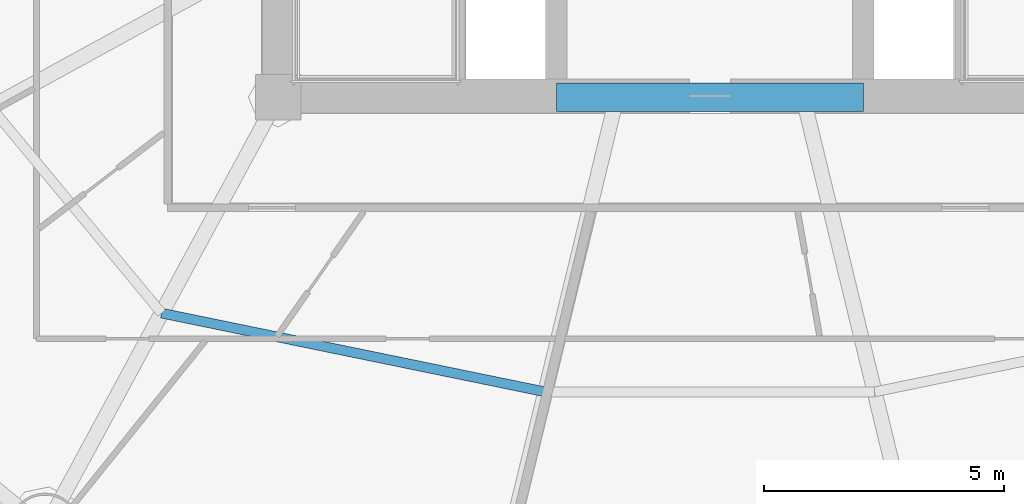
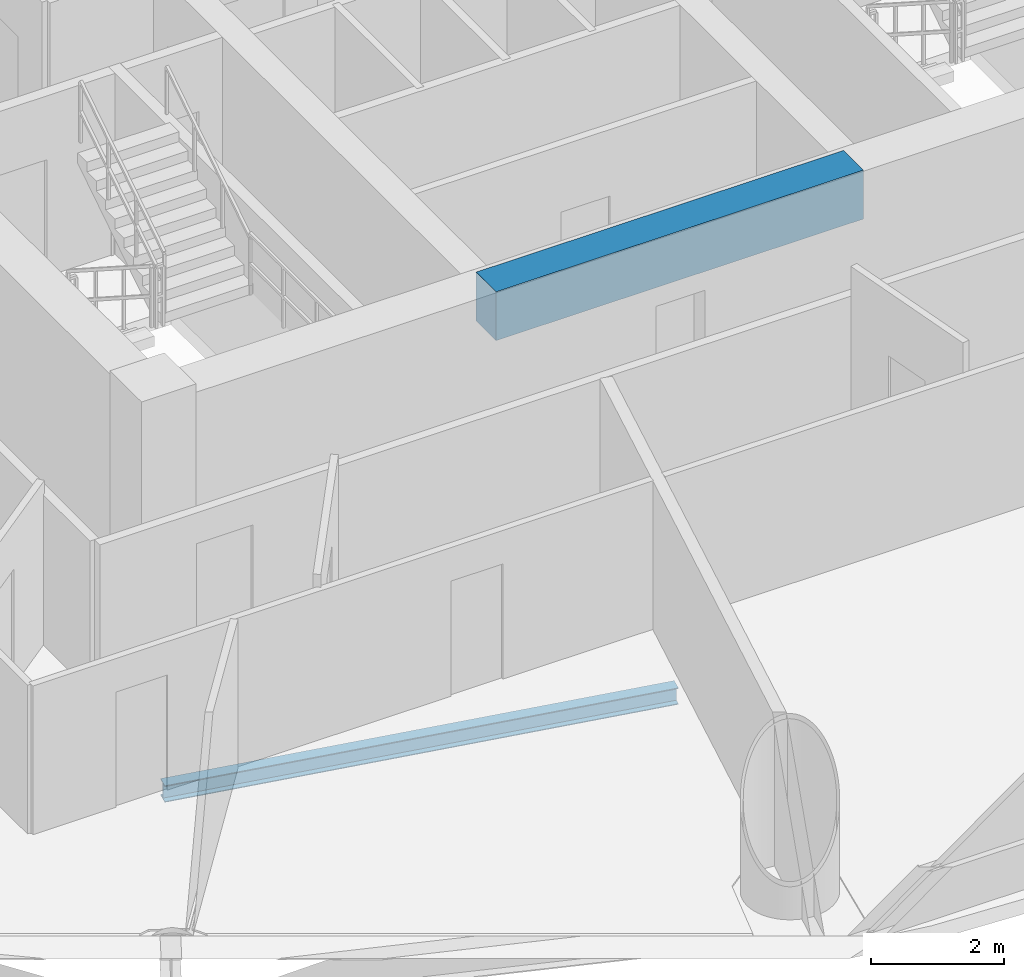
# One storey, part 6 of 29: 2 beams.
"""IFC4 building model written with IfcOpenShell, lengths in metres."""

from ifc_helpers import new_model, si_unit, direction, frame, origin, origin_2d, place, context, subcontext, project, spatial, rectangle, i_section, extrude, material, material_profile, profile_set, type_object, element, save


model = new_model("IFC4")

# Units and contexts
model_context = context("Model", 3, precision=1e-05, world=origin(), true_north=direction((-0.2419218956, 0.970295726276)))
body_context = subcontext(model_context, "Body", "Model", "MODEL_VIEW")
ifc_project = project(units=[si_unit("LENGTHUNIT", "METRE"), si_unit("AREAUNIT", "SQUARE_METRE"), si_unit("VOLUMEUNIT", "CUBIC_METRE"), si_unit("PLANEANGLEUNIT", "RADIAN"), si_unit("MASSUNIT", "GRAM", prefix="KILO")], contexts=[model_context])

# Site, building, storey
site_placement = place(None, origin())
site = spatial("IfcSite", under=ifc_project, at=site_placement, CompositionType="ELEMENT")
building_placement = place(site_placement, origin())
building = spatial("IfcBuilding", under=site, at=building_placement, Name="Cobrevalo Terracotta Tower", CompositionType="ELEMENT")
storey_placement = place(building_placement, frame((0.0, 0.0, 97.800048828125)))
storey = spatial("IfcBuildingStorey", under=building, at=storey_placement, Name="L25", CompositionType="ELEMENT", Elevation=97.800048828125)

# Beams
ifc_material_1 = material(Name="Concrete C60", Category="concrete")
ifc_material_profile_1 = material_profile(ifc_material_1, rectangle(XDim=0.60009765625, YDim=0.89990234375, at=origin_2d()), Name="RC CB 600x900")
ifc_profile_set_1 = profile_set([ifc_material_profile_1], Name="Concrete C60")
beam_type_1 = type_object("IfcBeamType", Name="Structural Beam RC CB 600x900 (Concrete C60)", PredefinedType="BEAM", material=ifc_profile_set_1)
beam_1_placement = place(storey_placement, frame((34.800048828125, 18.800048828125, 2.875), z_axis=(1.0, 0.0, 0.0), x_axis=(0.0, 1.0, 0.0)))
element("IfcBeam", 1, at=beam_1_placement, inside=storey, type_object=beam_type_1, Name="L25 core coupling beam 1", PredefinedType="BEAM", context=body_context, shape_type="SweptSolid", body=[
    extrude(rectangle(XDim=0.60009765625, YDim=0.89990234375, at=origin_2d()), origin(), (0.0, 0.0, 1.0), 6.39990234375),
])
ifc_material_2 = material(Name="Steel S355", Category="steel")
ifc_material_profile_2 = material_profile(ifc_material_2, i_section(OverallWidth=0.2041015625, OverallDepth=0.305908203125, WebThickness=0.008544921875, FlangeThickness=0.0146484375, at=origin_2d()), Name="W 310x67")
ifc_profile_set_2 = profile_set([ifc_material_profile_2], Name="Steel S355")
beam_type_2 = type_object("IfcBeamType", Name="Structural Joist W 310x67 (Steel S355)", PredefinedType="JOIST", material=ifc_profile_set_2)
beam_2_placement = place(storey_placement, frame((26.5693359375, 14.29833984375, -0.427978515625), z_axis=(0.979574469315, -0.201081722357, 0.0), x_axis=(0.201081722357, 0.979574469315, 0.0)))
element("IfcBeam", 2, at=beam_2_placement, inside=storey, type_object=beam_type_2, Name="L25 circumferential secondary floor joist 11", PredefinedType="JOIST", context=body_context, shape_type="SweptSolid", body=[
    extrude(i_section(OverallWidth=0.2041015625, OverallDepth=0.305908203125, WebThickness=0.008544921875, FlangeThickness=0.0146484375, at=origin_2d()), origin(), (0.0, 0.0, 1.0), 8.1650390625),
])

save(model, "model.ifc")
